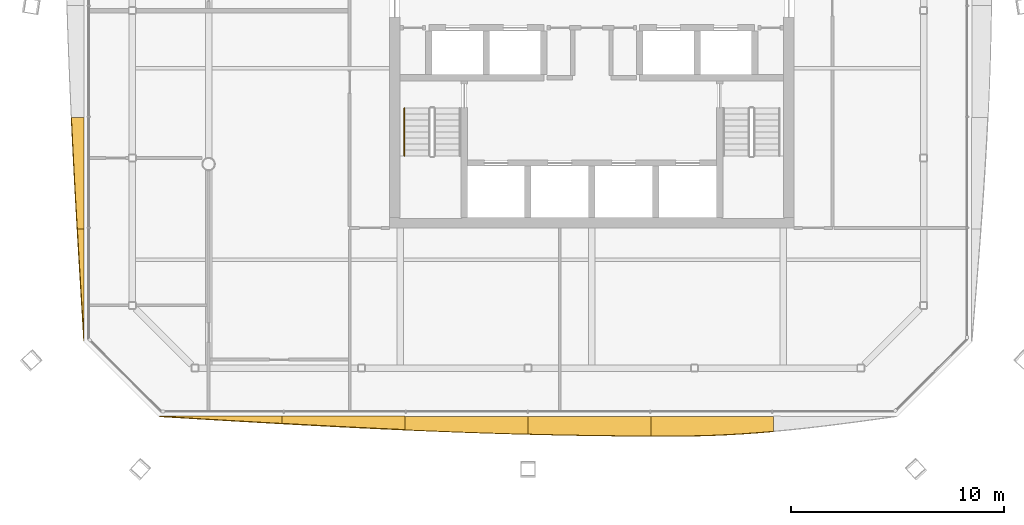
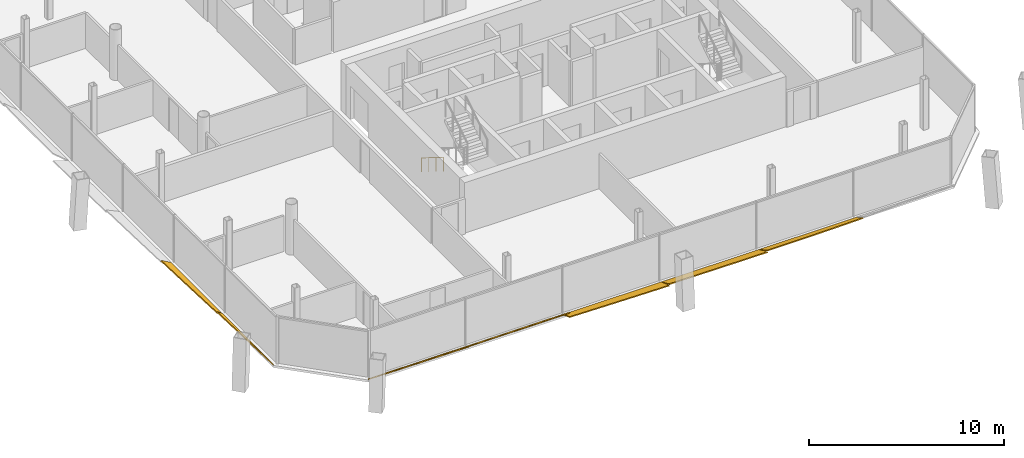
# One storey, part 17 of 20: 7 shading devices, 1 railing.
"""IFC4 building model written with IfcOpenShell, lengths in metres."""

from ifc_helpers import new_model, si_unit, direction, frame, origin, origin_2d, place, context, subcontext, project, spatial, polyline, circle, outline, extrude, material, layer, layer_set, type_object, element, save


model = new_model("IFC4")

# Units and contexts
model_context = context("Model", 3, precision=1e-05, world=origin(), true_north=direction((0.0, 1.0)))
body_context = subcontext(model_context, "Body", "Model", "MODEL_VIEW")
ifc_project = project(units=[si_unit("LENGTHUNIT", "METRE"), si_unit("AREAUNIT", "SQUARE_METRE"), si_unit("VOLUMEUNIT", "CUBIC_METRE"), si_unit("PLANEANGLEUNIT", "RADIAN"), si_unit("MASSUNIT", "GRAM", prefix="KILO")], contexts=[model_context])

# Site, building, storey
site_placement = place(None, origin())
site = spatial("IfcSite", under=ifc_project, at=site_placement, CompositionType="ELEMENT")
building_placement = place(site_placement, origin())
building = spatial("IfcBuilding", under=site, at=building_placement, Name="Tskaro Facet Tower", CompositionType="ELEMENT")
storey_placement = place(building_placement, frame((0.0, 0.0, 187.949951171875)))
storey = spatial("IfcBuildingStorey", under=building, at=storey_placement, Name="L47", CompositionType="ELEMENT", Elevation=187.949951171875)

# Shading devices
ifc_material_1 = material(Name="Bronze anodised aluminium 6063-T6", Category="aluminium")
ifc_layer = layer(ifc_material_1, 0.06005859375, Name="Bronze anodised aluminium 6063-T6")
ifc_layer_set = layer_set([ifc_layer], Name="Bronze anodised aluminium 6063-T6")
shading_device_type = type_object("IfcShadingDeviceType", Name="Bronze sun blade (FN1)", PredefinedType="USERDEFINED", material=ifc_layer_set)
shading_device_1_placement = place(storey_placement, frame((-20.31298828125, -20.843505859375, 0.04931640625), z_axis=(-3.0788958e-05, 0.573074235518, 0.819503459198), x_axis=(0.999999999526, 1.7644359e-05, 2.5231658e-05)))
element("IfcShadingDevice", 1, at=shading_device_1_placement, inside=storey, type_object=shading_device_type, Name="Fin blade south 1", ObjectType="FIN", PredefinedType="USERDEFINED", context=body_context, shape_type="SweptSolid", body=[
    extrude(outline(polyline([(0.0, 0.0), (5.770996091014664, 0.0), (5.770996096409352, -0.41213602169248), (5.049560550386855, -0.36269408183824536), (4.3281249988072545, -0.31223218761728033), (3.6069335964679476, -0.261370145222689), (2.885498043638948, -0.20968822254818031), (2.164062495117653, -0.15780622578685852), (1.442626949051695, -0.10538417014981344), (0.7214355417582533, -0.052622129723858206), (0.0, 0.0)])), origin(), (0.0, 0.0, -1.0), 0.06005859375),
])
shading_device_2_placement = place(storey_placement, frame((-14.5419921875, -20.83935546875, 0.0458984375), z_axis=(7.243677e-06, 0.642840931047, 0.765999697988), x_axis=(0.999999999974, -4.656532e-06, -5.548654e-06)))
element("IfcShadingDevice", 2, at=shading_device_2_placement, inside=storey, type_object=shading_device_type, Name="Fin blade south 2", ObjectType="FIN", PredefinedType="USERDEFINED", context=body_context, shape_type="SweptSolid", body=[
    extrude(outline(polyline([(0.0, 0.0), (5.770996093598595, 2.4441119149410585e-21), (5.770996093798802, -0.8203661215262552), (5.049560547245075, -0.7782598462613147), (4.328124999288863, -0.7344037267795027), (3.6069335941835092, -0.6890148427841768), (2.8854980470506786, -0.6418761145719794), (2.164062499434409, -0.593518509019639), (1.4426269526893527, -0.5437850825404703), (0.7214355472226996, -0.49301979036618027), (-4.892341990698425e-10, -0.44084860920672586), (0.0, 0.0)])), origin(), (0.0, 0.0, -1.0), 0.06005859375),
])
shading_device_3_placement = place(storey_placement, frame((-8.77099609375, -20.857421875, 0.056396484375), z_axis=(4.578958e-06, 0.342046968097, 0.939682856923), x_axis=(0.99999999999, -1.566219e-06, -4.302768e-06)))
element("IfcShadingDevice", 3, at=shading_device_3_placement, inside=storey, type_object=shading_device_type, Name="Fin blade south 3", ObjectType="FIN", PredefinedType="USERDEFINED", context=body_context, shape_type="SweptSolid", body=[
    extrude(outline(polyline([(0.0, 0.0), (5.7709960936895, 1.2220559574705293e-21), (5.770996093854143, -0.8851654624058662), (5.049560546860434, -0.864390562349828), (4.328125000341522, -0.841759236292122), (3.606933593489548, -0.8171255770333264), (2.8854980468697526, -0.7908649065328568), (2.1640624996742748, -0.7628313175912907), (1.4426269529535958, -0.7329413026480572), (0.7214355470469872, -0.701737198783714), (-6.030122382135765e-11, -0.6687601764782747), (0.0, 0.0)])), origin(), (0.0, 0.0, -1.0), 0.06005859375),
])
shading_device_4_placement = place(storey_placement, frame((-3.0, -20.8525390625, 0.054443359375), z_axis=(6.043654e-06, 0.422538488263, 0.906344981726), x_axis=(0.999999999982, -2.553677e-06, -5.477636e-06)))
element("IfcShadingDevice", 4, at=shading_device_4_placement, inside=storey, type_object=shading_device_type, Name="Fin blade south 4", ObjectType="FIN", PredefinedType="USERDEFINED", context=body_context, shape_type="SweptSolid", body=[
    extrude(outline(polyline([(0.0, 0.0), (5.770996093644605, -2.4441119149410585e-21), (5.770996093258258, -1.0144708951771997), (5.049560547119642, -1.0101052146073641), (4.328369140006856, -1.0034385769329155), (3.606933593967992, -0.9944859401629361), (2.885498046953418, -0.983453621918652), (2.1640625003004494, -0.97023846338945), (1.4428710932967659, -0.9549436233859432), (0.721435547367005, -0.9373627842869057), (-8.757787016002252e-10, -0.9178054225241763), (0.0, 0.0)])), origin(), (0.0, 0.0, -1.0), 0.06005859375),
])
shading_device_5_placement = place(storey_placement, frame((2.77099609375, -20.847900390625, 0.052001953125), z_axis=(-1.0901077e-05, 0.499976469225, 0.866038988789), x_axis=(0.999999999941, 5.450282e-06, 9.440758e-06)))
element("IfcShadingDevice", 5, at=shading_device_5_placement, inside=storey, type_object=shading_device_type, Name="Fin blade south 5", ObjectType="FIN", PredefinedType="USERDEFINED", context=body_context, shape_type="SweptSolid", body=[
    extrude(outline(polyline([(0.0, 0.0), (5.770996093407106, 0.0), (5.770996094536924, -0.8113821049276903), (5.049560547304012, -0.8812732925096792), (4.328369139222397, -0.9406559535021429), (3.60693359303401, -0.9888957820050517), (2.8854980470589666, -1.0258707134507161), (2.164062499705189, -1.0503688129360298), (1.4428710948767738, -1.0628456448963808), (1.0849609375788454, -1.0644804503995073), (0.7214355460012077, -1.0641469505318084), (-3.7957218856736474e-10, -1.061633709993274), (0.0, 0.0)])), origin(), (0.0, 0.0, -1.0), 0.06005859375),
])
shading_device_6_placement = place(storey_placement, frame((-23.847900390625, -6.807373046875, 0.052001953125), z_axis=(0.499867491425, 4.940972e-06, 0.866101894116), x_axis=(2.469831e-06, -0.999999999988, 4.279386e-06)))
element("IfcShadingDevice", 6, at=shading_device_6_placement, inside=storey, type_object=shading_device_type, Name="Fin blade west 5", ObjectType="FIN", PredefinedType="USERDEFINED", context=body_context, shape_type="SweptSolid", body=[
    extrude(outline(polyline([(0.0, 0.0), (5.252685546810882, 2.2245988598847988e-21), (5.252685547474922, -0.36314469073738187), (4.596191405937986, -0.4064474326664578), (3.9396972657682214, -0.4487823340027751), (3.2829589846928746, -0.4902388074423045), (2.6264648433589537, -0.531028303642792), (1.9697265623254228, -0.5705164706309998), (1.313232421636304, -0.6091262097224197), (0.6564941406445894, -0.646646070259306), (1.5848717063657415e-10, -0.6827425636221374), (0.0, 0.0)])), origin(), (0.0, 0.0, -1.0), 0.06005859375),
])
shading_device_7_placement = place(storey_placement, frame((-23.843505859375, -12.06005859375, 0.04931640625), z_axis=(0.572891735093, -2.8151035e-05, 0.819631050577), x_axis=(-1.6127495e-05, -0.999999999604, -2.3073462e-05)))
element("IfcShadingDevice", 7, at=shading_device_7_placement, inside=storey, type_object=shading_device_type, Name="Fin blade west 6", ObjectType="FIN", PredefinedType="USERDEFINED", context=body_context, shape_type="SweptSolid", body=[
    extrude(outline(polyline([(0.0, 0.0), (5.252929685418577, 0.0), (4.596435546906379, -0.04910197093763717), (3.9396972694650705, -0.09786397049191949), (3.2832031230781196, -0.14656573095548356), (2.626464843395227, -0.19478765388937444), (1.9699707003998612, -0.24280947158622876), (1.3132324184753845, -0.29049131789972826), (0.6567382805673969, -0.33749322144651794), (-4.144454829995931e-09, -0.38375494313587977), (0.0, 0.0)])), origin(), (0.0, 0.0, -1.0), 0.06005859375),
])

# Railing
ifc_material_2 = material(Name="Stainless steel", Category="steel")
railing_type = type_object("IfcRailingType", Name="RL-HANDRAIL-900", PredefinedType="HANDRAIL", material=ifc_material_2)
railing_placement = place(storey_placement, frame((-8.800048828125, -6.375, 0.175048828125)))
element("IfcRailing", 8, at=railing_placement, inside=storey, type_object=railing_type, Name="L47 ST-1 stair handrail 1", PredefinedType="HANDRAIL", context=body_context, shape_type="SweptSolid", body=[
    extrude(circle(Radius=0.02392578125, at=origin_2d()), frame((0.0, 0.0, 0.8759765625), z_axis=(0.0, -0.848013881152, 0.529974015752), x_axis=(1.0, 0.0, 0.0)), (0.0, 0.0, 1.0), 2.641357421875),
    extrude(circle(Radius=0.02099609375, at=origin_2d()), origin(), (0.0, 0.0, 1.0), 0.851806640625),
    extrude(circle(Radius=0.02099609375, at=origin_2d()), frame((0.0, -0.74658203125, 0.466552734375)), (0.0, 0.0, 1.0), 0.851806640625),
    extrude(circle(Radius=0.02099609375, at=origin_2d()), frame((0.0, -1.493408203125, 0.933349609375)), (0.0, 0.0, 1.0), 0.851806640625),
    extrude(circle(Radius=0.02099609375, at=origin_2d()), frame((0.0, -2.239990234375, 1.39990234375)), (0.0, 0.0, 1.0), 0.851806640625),
])

save(model, "model.ifc")
